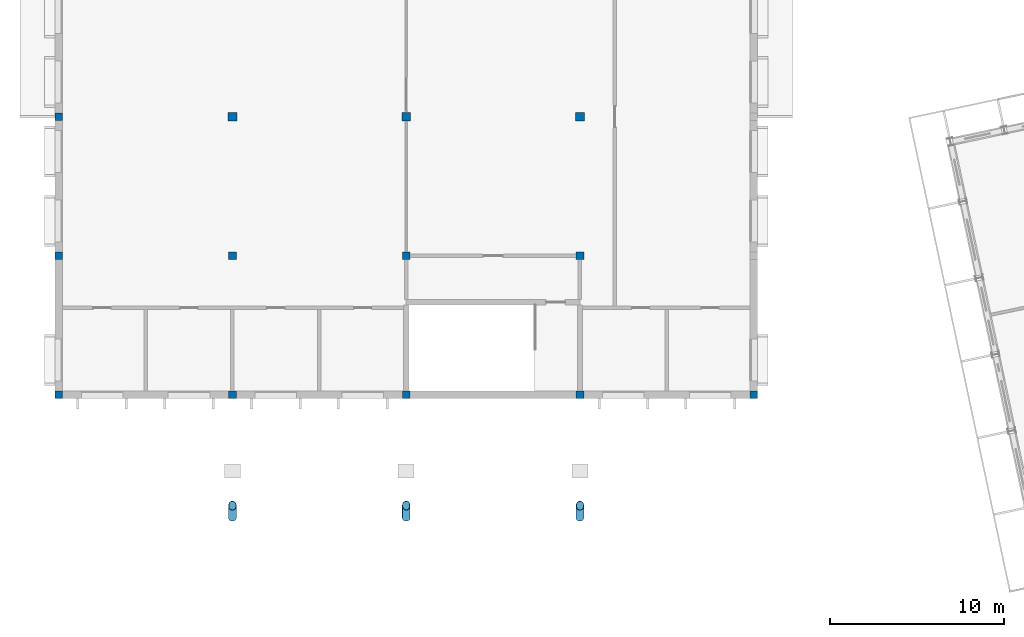
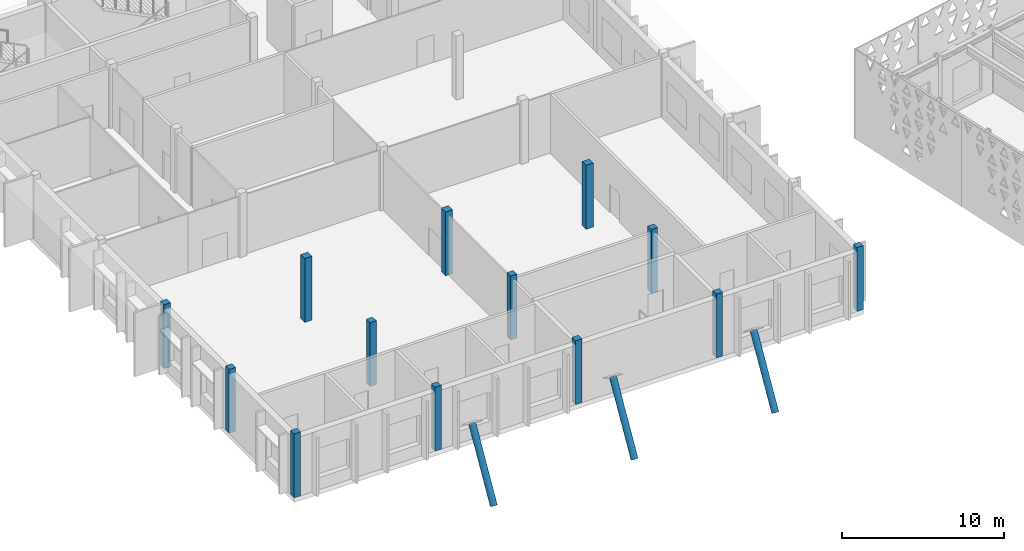
# One storey, part 1 of 182: 16 columns.
"""IFC4 building model written with IfcOpenShell, lengths in metres."""

import ifcopenshell
import ifcopenshell.guid

model = None  # the IFC model being written
_history = None  # IfcOwnerHistory: only IFC2X3 demands one
_inside = {}  # id of a spatial element -> (the spatial element, [elements in it])
_under = {}  # id of a project, library or spatial element -> (it, [spatial elements below it])
_declared = {}  # id of a project -> (the project, [libraries it declares])
_typed = {}  # id of a type object -> (the type object, [elements of that type])
_made_of = {}  # id of a material, layer set ... -> (it, [elements and type objects made of it])


def new_model(schema):
    """Start an empty IFC model of exactly this schema.

    Asked for "IFC4X3", IfcOpenShell would pick the latest addendum, in which some entities
    have other attributes; the version numbers below select the first issue.
    IFC2X3 requires an IfcOwnerHistory on every rooted entity: one is made here for all.
    """
    global model, _history
    if schema == "IFC4X3":
        model = ifcopenshell.file(schema_version=(4, 3, 0, 0))
    else:
        model = ifcopenshell.file(schema=schema)
    _inside.clear()
    _under.clear()
    _declared.clear()
    _typed.clear()
    _made_of.clear()
    _history = None
    if model.schema == "IFC2X3":
        org = make("IfcOrganization", Name="unknown")
        user = make(
            "IfcPersonAndOrganization",
            ThePerson=make("IfcPerson", FamilyName="unknown"),
            TheOrganization=org,
        )
        app = make(
            "IfcApplication",
            ApplicationDeveloper=org,
            Version="unknown",
            ApplicationFullName="unknown",
            ApplicationIdentifier="unknown",
        )
        _history = make(
            "IfcOwnerHistory",
            OwningUser=user,
            OwningApplication=app,
            ChangeAction="ADDED",
            CreationDate=0,
        )
    return model


def make(cls, **values):
    """One entity of the class cls with the attributes given. An attribute that is None is left unset."""
    return model.create_entity(
        cls, **{name: value for name, value in values.items() if value is not None}
    )


def rooted(cls, **values):
    """An entity with a GlobalId (a new one), such as an element, a storey or a relation."""
    return make(cls, GlobalId=ifcopenshell.guid.new(), OwnerHistory=_history, **values)


def si_unit(unit_type, name, prefix=None):
    """IfcSIUnit, for example si_unit("LENGTHUNIT", "METRE", prefix="MILLI")."""
    return make("IfcSIUnit", UnitType=unit_type, Prefix=prefix, Name=name)


def assignment(units):
    """IfcUnitAssignment: the units of a project."""
    return None if units is None else make("IfcUnitAssignment", Units=units)


def point(xyz):
    """IfcCartesianPoint."""
    return None if xyz is None else make("IfcCartesianPoint", Coordinates=xyz)


def direction(xyz):
    """IfcDirection."""
    return None if xyz is None else make("IfcDirection", DirectionRatios=xyz)


def frame(location, z_axis=None, x_axis=None):
    """IfcAxis2Placement3D, a coordinate frame: its origin and axes. An axis left out is left unset."""
    return make(
        "IfcAxis2Placement3D",
        Location=point(location),
        Axis=direction(z_axis),
        RefDirection=direction(x_axis),
    )


def frame_2d(location, x_axis=None):
    """IfcAxis2Placement2D, a coordinate frame in the plane: its origin and x axis."""
    return make(
        "IfcAxis2Placement2D", Location=point(location), RefDirection=direction(x_axis)
    )


def origin():
    """The frame at (0, 0, 0) with its axes left unset."""
    return frame((0.0, 0.0, 0.0))


def origin_2d():
    """The frame at (0, 0) in the plane with its x axis left unset."""
    return frame_2d((0.0, 0.0))


def place(relative_to, where):
    """IfcLocalPlacement: puts the frame where relative to a parent placement (None: the world)."""
    return make(
        "IfcLocalPlacement", PlacementRelTo=relative_to, RelativePlacement=where
    )


def context(
    kind, dimensions, precision=None, world=None, true_north=None, identifier=None
):
    """IfcGeometricRepresentationContext, for example the 3D "Model" context."""
    return make(
        "IfcGeometricRepresentationContext",
        ContextIdentifier=identifier,
        ContextType=kind,
        CoordinateSpaceDimension=dimensions,
        Precision=precision,
        WorldCoordinateSystem=world,
        TrueNorth=true_north,
    )


def subcontext(parent, identifier, kind, view, scale=None):
    """IfcGeometricRepresentationSubContext, for example "Body" below "Model"."""
    return make(
        "IfcGeometricRepresentationSubContext",
        ContextIdentifier=identifier,
        ContextType=kind,
        ParentContext=parent,
        TargetScale=scale,
        TargetView=view,
    )


def project(units=None, contexts=None):
    """IfcProject with its units and contexts."""
    return rooted(
        "IfcProject",
        Name="project",
        RepresentationContexts=contexts,
        UnitsInContext=assignment(units),
    )


def spatial(cls, under=None, at=None, **own):
    """A site, building, storey or space (cls), placed at a placement, below another one or the project."""
    s = rooted(cls, ObjectPlacement=at, **own)
    if under is not None:
        _under.setdefault(under.id(), (under, []))[1].append(s)
    return s


def profile(cls, at=None, kind="AREA", **sizes):
    """A parametric profile (cls). Its sizes go by their IFC names, for example OverallWidth=200.0."""
    return make(cls, ProfileType=kind, Position=at, **sizes)


def rectangle(**sizes):
    """IfcRectangleProfileDef."""
    return profile("IfcRectangleProfileDef", **sizes)


def hollow_circle(**sizes):
    """IfcCircleHollowProfileDef."""
    return profile("IfcCircleHollowProfileDef", **sizes)


def extrude(swept, where, along, depth):
    """IfcExtrudedAreaSolid: the profile swept, set in the frame where, extruded along a direction by depth."""
    return make(
        "IfcExtrudedAreaSolid",
        SweptArea=swept,
        Position=where,
        ExtrudedDirection=direction(along),
        Depth=depth,
    )


def shape(context_of_items, identifier, shape_type, items):
    """IfcShapeRepresentation: the items that make up one representation, for example the "Body"."""
    return make(
        "IfcShapeRepresentation",
        ContextOfItems=context_of_items,
        RepresentationIdentifier=identifier,
        RepresentationType=shape_type,
        Items=items,
    )


def material(Name=None, Category=None):
    """IfcMaterial."""
    return make("IfcMaterial", Name=Name, Category=Category)


def material_profile(
    of_material, cross_section, Name=None, Category=None, Priority=None
):
    """IfcMaterialProfile: a cross section and its material."""
    return make(
        "IfcMaterialProfile",
        Name=Name,
        Material=of_material,
        Profile=cross_section,
        Priority=Priority,
        Category=Category,
    )


def profile_set(profiles, Name=None, composite=None):
    """IfcMaterialProfileSet."""
    return make(
        "IfcMaterialProfileSet",
        Name=Name,
        MaterialProfiles=profiles,
        CompositeProfile=composite,
    )


def made_of(thing, what):
    """Note that an element or type object is made of a material, layer set ...; save() writes the relation."""
    if what is not None:
        _made_of.setdefault(what.id(), (what, []))[1].append(thing)
    return thing


def type_object(cls, material=None, **own):
    """A type object (cls), such as IfcWallType, which elements share."""
    return made_of(rooted(cls, **own), material)


def element(
    cls,
    number,
    at=None,
    inside=None,
    cuts=None,
    type_object=None,
    material=None,
    context=None,
    identifier="Body",
    shape_type=None,
    held_by="IfcProductDefinitionShape",
    body=None,
    shapes=None,
    **own,
):
    """One element of the class cls, such as IfcWall. Its Tag is "e" and its number.

    at: its placement. inside: the storey or other place that contains it. cuts: it is an
    opening in that element (IfcRelVoidsElement). A single representation is given by context,
    identifier, shape_type and body (its items); several are given by shapes. held_by: the class
    of the entity that holds the representations. save() writes the other relations.
    """
    e = rooted(cls, Tag="e%d" % number, ObjectPlacement=at, **own)
    if body is not None:
        shapes = [shape(context, identifier, shape_type, body)]
    if shapes is not None:
        e.Representation = make(held_by, Representations=shapes)
    if inside is not None:
        _inside.setdefault(inside.id(), (inside, []))[1].append(e)
    if cuts is not None:
        rooted(
            "IfcRelVoidsElement", RelatingBuildingElement=cuts, RelatedOpeningElement=e
        )
    if type_object is not None:
        _typed.setdefault(type_object.id(), (type_object, []))[1].append(e)
    return made_of(e, material)


def aggregate(whole, parts):
    """IfcRelAggregates: a whole, such as a stair, and the parts it consists of."""
    return rooted("IfcRelAggregates", RelatingObject=whole, RelatedObjects=parts)


def save(model, path):
    """Write the relations noted so far, then the file.

    IfcRelAggregates (storeys below a building ...), IfcRelContainedInSpatialStructure (elements
    in a storey), IfcRelDefinesByType, IfcRelAssociatesMaterial and IfcRelDeclares: one each for
    every whole, place, type object, material and project.
    """
    for whole, parts in _under.values():
        aggregate(whole, parts)
    for where, things in _inside.values():
        rooted(
            "IfcRelContainedInSpatialStructure",
            RelatedElements=things,
            RelatingStructure=where,
        )
    for kind, things in _typed.values():
        rooted("IfcRelDefinesByType", RelatedObjects=things, RelatingType=kind)
    for what, things in _made_of.values():
        rooted("IfcRelAssociatesMaterial", RelatedObjects=things, RelatingMaterial=what)
    for by, libraries in _declared.values():
        rooted("IfcRelDeclares", RelatingContext=by, RelatedDefinitions=libraries)
    model.write(path)


model = new_model("IFC4")

# Units and contexts
model_context = context("Model", 3, precision=1e-05, world=origin(), true_north=direction((0.0, 1.0)))
body_context = subcontext(model_context, "Body", "Model", "MODEL_VIEW")
ifc_project = project(units=[si_unit("LENGTHUNIT", "METRE"), si_unit("AREAUNIT", "SQUARE_METRE"), si_unit("VOLUMEUNIT", "CUBIC_METRE"), si_unit("PLANEANGLEUNIT", "RADIAN"), si_unit("MASSUNIT", "GRAM", prefix="KILO")], contexts=[model_context])

# Site, building, storey
site_placement = place(None, origin())
site = spatial("IfcSite", under=ifc_project, at=site_placement, CompositionType="ELEMENT")
building_placement = place(site_placement, origin())
building = spatial("IfcBuilding", under=site, at=building_placement, Name="Okhra Congress Centre", CompositionType="ELEMENT")
storey_placement = place(building_placement, frame((0.0, 0.0, 7.199951171875)))
storey = spatial("IfcBuildingStorey", under=building, at=storey_placement, Name="L01", CompositionType="ELEMENT", Elevation=7.199951171875)

# Columns
ifc_material_1 = material(Name="Concrete C35/45", Category="concrete")
ifc_material_profile_1 = material_profile(ifc_material_1, rectangle(XDim=0.449951171875, YDim=0.449951171875, at=origin_2d()), Name="RC 450x450")
ifc_profile_set_1 = profile_set([ifc_material_profile_1], Name="Concrete C35/45")
column_type_1 = type_object("IfcColumnType", Name="RC column 450x450 C35/45", PredefinedType="COLUMN", material=ifc_profile_set_1)
for number, where, z_axis, x_axis, name in (
    (1, (6.0, 36.0, 0.0), (0.0, 0.0, 1.0), (1.0, 0.0, 0.0), "RS.COL.L01.1"),
    (2, (6.0, 44.0, 0.0), (0.0, 0.0, 1.0), (1.0, 0.0, 0.0), "RS.COL.L01.2"),
    (3, (6.0, 52.0, 0.0), (0.0, 0.0, 1.0), (1.0, 0.0, 0.0), "RS.COL.L01.3"),
    (4, (16.0, 36.0, 0.0), (0.0, 0.0, 1.0), (1.0, 0.0, 0.0), "RS.COL.L01.8"),
    (5, (16.0, 44.0, 0.0), (0.0, 0.0, 1.0), (1.0, 0.0, 0.0), "RS.COL.L01.9"),
    (6, (26.0, 36.0, 0.0), (0.0, 0.0, 1.0), (1.0, 0.0, 0.0), "RS.COL.L01.15"),
    (7, (26.0, 44.0, 0.0), (0.0, 0.0, 1.0), (1.0, 0.0, 0.0), "RS.COL.L01.16"),
    (8, (36.0, 36.0, 0.0), (0.0, 0.0, 1.0), (1.0, 0.0, 0.0), "RS.COL.L01.22"),
    (9, (36.0, 44.0, 0.0), (0.0, 0.0, 1.0), (1.0, 0.0, 0.0), "RS.COL.L01.23"),
    (10, (46.0, 36.0, 0.0), (0.0, 0.0, 1.0), (1.0, 0.0, 0.0), "RS.COL.L01.29"),
):
    element("IfcColumn", number, at=place(storey_placement, frame(where, z_axis=z_axis, x_axis=x_axis)), inside=storey, type_object=column_type_1, Name=name, PredefinedType="COLUMN", context=body_context, shape_type="SweptSolid", body=[
        extrude(rectangle(XDim=0.449951171875, YDim=0.449951171875, at=origin_2d()), origin(), (0.0, 0.0, 1.0), 4.800048828125),
    ])
ifc_material_profile_2 = material_profile(ifc_material_1, rectangle(XDim=0.5, YDim=0.5, at=origin_2d()), Name="RC 500x500")
ifc_profile_set_2 = profile_set([ifc_material_profile_2], Name="Concrete C35/45")
column_type_2 = type_object("IfcColumnType", Name="RC column 500x500 C35/45", PredefinedType="COLUMN", material=ifc_profile_set_2)
for number, where, z_axis, x_axis, name in (
    (11, (16.0, 52.0, 0.0), (0.0, 0.0, 1.0), (1.0, 0.0, 0.0), "RS.COL.L01.10"),
    (12, (26.0, 52.0, 0.0), (0.0, 0.0, 1.0), (1.0, 0.0, 0.0), "RS.COL.L01.17"),
    (13, (36.0, 52.0, 0.0), (0.0, 0.0, 1.0), (1.0, 0.0, 0.0), "RS.COL.L01.24"),
):
    element("IfcColumn", number, at=place(storey_placement, frame(where, z_axis=z_axis, x_axis=x_axis)), inside=storey, type_object=column_type_2, Name=name, PredefinedType="COLUMN", context=body_context, shape_type="SweptSolid", body=[
        extrude(rectangle(XDim=0.5, YDim=0.5, at=origin_2d()), origin(), (0.0, 0.0, 1.0), 4.800048828125),
    ])
ifc_material_2 = material(Name="Steel S355J2H", Category="steel")
ifc_material_profile_3 = material_profile(ifc_material_2, hollow_circle(Radius=0.228515625, WallThickness=0.01611328125, at=origin_2d()), Name="CHS 457x16")
ifc_profile_set_3 = profile_set([ifc_material_profile_3], Name="Steel S355J2H")
column_type_3 = type_object("IfcColumnType", Name="Raking steel strut CHS 457x16", PredefinedType="COLUMN", material=ifc_profile_set_3)
for number, where, z_axis, x_axis, name in (
    (14, (16.0, 28.923095703125, 0.0), (0.0, 0.50297520124, 0.864300842842), (-1.0, 0.0, 0.0), "Terrace prow raking strut 1"),
    (15, (26.0, 28.923095703125, 0.0), (0.0, 0.50297520124, 0.864300842842), (-1.0, 0.0, 0.0), "Terrace prow raking strut 2"),
    (16, (36.0, 28.923095703125, 0.0), (0.0, 0.50297520124, 0.864300842842), (-1.0, 0.0, 0.0), "Terrace prow raking strut 3"),
):
    element("IfcColumn", number, at=place(storey_placement, frame(where, z_axis=z_axis, x_axis=x_axis)), inside=storey, type_object=column_type_3, Name=name, PredefinedType="COLUMN", context=body_context, shape_type="SweptSolid", body=[
        extrude(hollow_circle(Radius=0.228515625, WallThickness=0.01611328125, at=origin_2d()), origin(), (0.0, 0.0, 1.0), 5.322265625),
    ])

save(model, "model.ifc")
